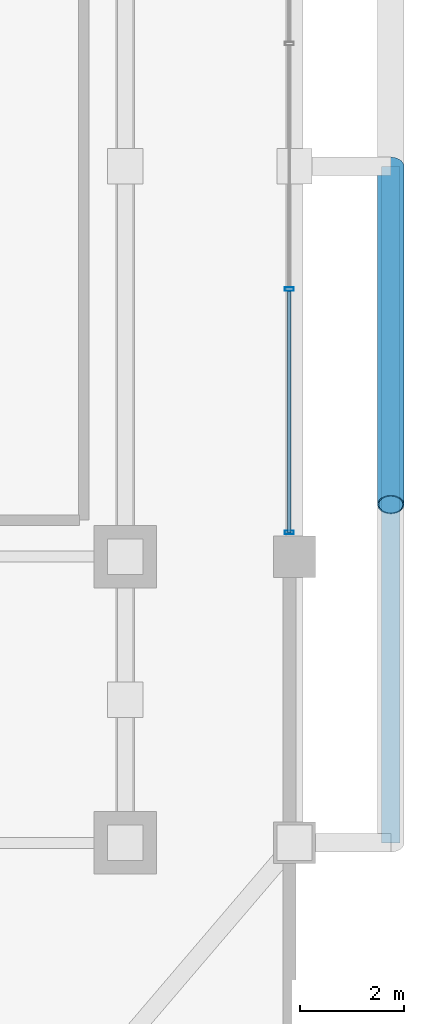
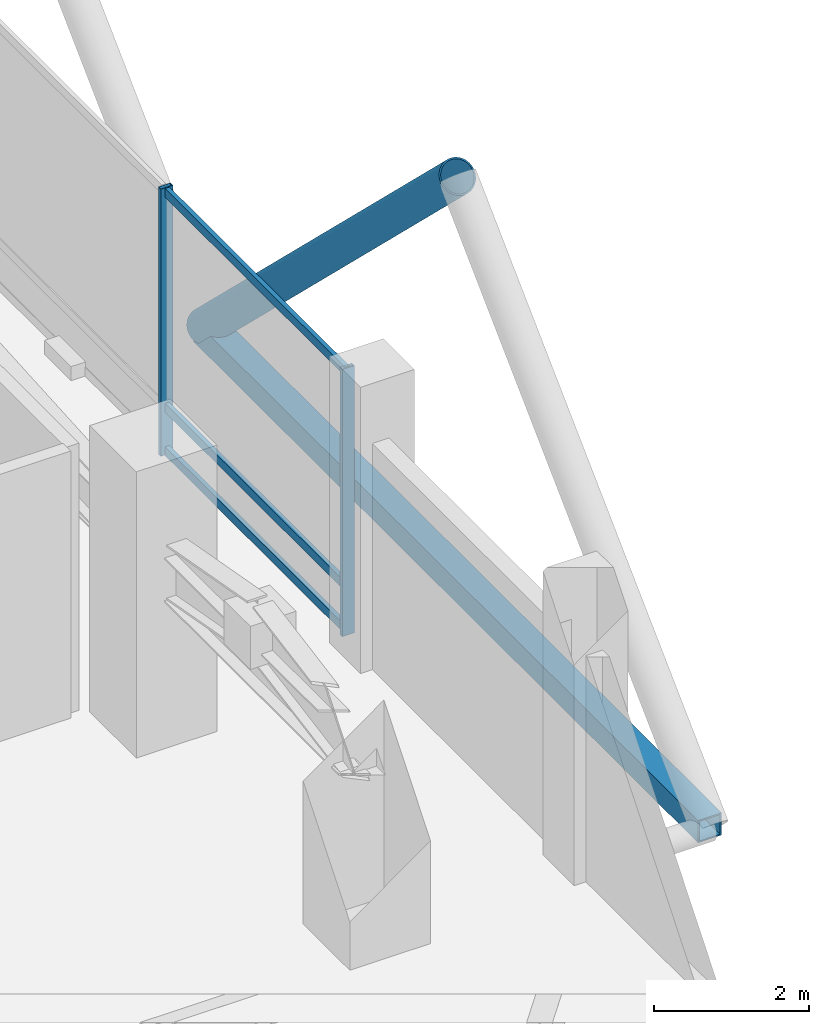
# One storey, part 9 of 22: 7 members, 1 element without a shape of its own.
"""IFC4 building model written with IfcOpenShell, lengths in metres."""

from ifc_helpers import new_model, si_unit, direction, frame, origin, origin_2d, place, context, subcontext, project, spatial, hollow_rectangle, hollow_circle, extrude, material, layer, layer_set, material_profile, profile_set, type_object, element, aggregate, save


model = new_model("IFC4")

# Units and contexts
model_context = context("Model", 3, precision=1e-05, world=origin(), true_north=direction((0.0, 1.0)))
body_context = subcontext(model_context, "Body", "Model", "MODEL_VIEW")
ifc_project = project(units=[si_unit("LENGTHUNIT", "METRE"), si_unit("AREAUNIT", "SQUARE_METRE"), si_unit("VOLUMEUNIT", "CUBIC_METRE"), si_unit("PLANEANGLEUNIT", "RADIAN"), si_unit("MASSUNIT", "GRAM", prefix="KILO")], contexts=[model_context])

# Site, building, storey
site_placement = place(None, origin())
site = spatial("IfcSite", under=ifc_project, at=site_placement, CompositionType="ELEMENT")
building_placement = place(site_placement, origin())
building = spatial("IfcBuilding", under=site, at=building_placement, Name="Barlavira Tower and Art Museum", CompositionType="ELEMENT")
storey_placement = place(building_placement, frame((0.0, 0.0, 120.60009765625)))
storey = spatial("IfcBuildingStorey", under=building, at=storey_placement, Name="L30", CompositionType="ELEMENT", Elevation=120.60009765625)

# Curtain wall, members
ifc_material_1 = material(Name="Low-iron coastal laminated glass", Category="glass")
ifc_layer = layer(ifc_material_1, 0.18994140625, Name="Low-iron coastal laminated glass")
ifc_layer_set = layer_set([ifc_layer], Name="Low-iron coastal laminated glass")
curtain_wall_type = type_object("IfcCurtainWallType", Name="Pale-Metal Unitised Curtain Wall Zone 2", PredefinedType="NOTDEFINED", material=ifc_layer_set)
curtain_wall_placement = place(storey_placement, origin())
curtain_wall = element("IfcCurtainWall", 1, at=curtain_wall_placement, inside=storey, type_object=curtain_wall_type, Name="L30 Curtain Wall CW2-L30-E-B3", PredefinedType="NOTDEFINED")
ifc_material_2 = material(Name="Pale anodised aluminium", Category="aluminium")
ifc_material_profile_1 = material_profile(ifc_material_2, hollow_rectangle(XDim=0.06494140625, YDim=0.179931640625, WallThickness=0.00390625, at=origin_2d()), Name="ALU-MULL 65x180x4")
ifc_profile_set_1 = profile_set([ifc_material_profile_1], Name="Pale anodised aluminium")
member_type_1 = type_object("IfcMemberType", Name="Curtain Wall Pale-Metal Mullion 65x180", PredefinedType="MULLION", material=ifc_profile_set_1)
member_1_placement = place(storey_placement, frame((20.14990234375, -7.034912109375, 0.0), z_axis=(0.0, 0.0, 1.0), x_axis=(0.0, 1.0, 0.0)))
member_1 = element("IfcMember", 2, at=member_1_placement, type_object=member_type_1, Name="CW2-L30-E-B3 Mullion 0", PredefinedType="MULLION", context=body_context, shape_type="SweptSolid", body=[
    extrude(hollow_rectangle(XDim=0.06494140625, YDim=0.179931640625, WallThickness=0.00390625, at=origin_2d()), origin(), (0.0, 0.0, 1.0), 4.199951171875),
])
member_2_placement = place(storey_placement, frame((20.14990234375, -2.360107421875, 0.0), z_axis=(0.0, 0.0, 1.0), x_axis=(0.0, 1.0, 0.0)))
member_2 = element("IfcMember", 3, at=member_2_placement, type_object=member_type_1, Name="CW2-L30-E-B3 Mullion 1", PredefinedType="MULLION", context=body_context, shape_type="SweptSolid", body=[
    extrude(hollow_rectangle(XDim=0.06494140625, YDim=0.179931640625, WallThickness=0.00390625, at=origin_2d()), origin(), (0.0, 0.0, 1.0), 4.199951171875),
])
ifc_material_profile_2 = material_profile(ifc_material_2, hollow_rectangle(XDim=0.06494140625, YDim=0.139892578125, WallThickness=0.00390625, at=origin_2d()), Name="ALU-TRAN 65x140x4")
ifc_profile_set_2 = profile_set([ifc_material_profile_2], Name="Pale anodised aluminium")
member_type_2 = type_object("IfcMemberType", Name="Curtain Wall Pale-Metal Transom 65x140", PredefinedType="USERDEFINED", material=ifc_profile_set_2)
member_3_placement = place(storey_placement, frame((20.14990234375, -7.034912109375, 0.06982421875), z_axis=(0.0, 1.0, 0.0), x_axis=(-1.0, 0.0, 0.0)))
member_3 = element("IfcMember", 4, at=member_3_placement, type_object=member_type_2, Name="CW2-L30-E-B3 Transom 0.1", ObjectType="TRANSOM", PredefinedType="USERDEFINED", context=body_context, shape_type="SweptSolid", body=[
    extrude(hollow_rectangle(XDim=0.06494140625, YDim=0.139892578125, WallThickness=0.00390625, at=origin_2d()), origin(), (0.0, 0.0, 1.0), 4.6298828125),
])
member_4_placement = place(storey_placement, frame((20.14990234375, -7.034912109375, 0.75), z_axis=(0.0, 1.0, 0.0), x_axis=(-1.0, 0.0, 0.0)))
member_4 = element("IfcMember", 5, at=member_4_placement, type_object=member_type_2, Name="CW2-L30-E-B3 Transom 0.2", ObjectType="TRANSOM", PredefinedType="USERDEFINED", context=body_context, shape_type="SweptSolid", body=[
    extrude(hollow_rectangle(XDim=0.06494140625, YDim=0.139892578125, WallThickness=0.00390625, at=origin_2d()), origin(), (0.0, 0.0, 1.0), 4.6298828125),
])
member_5_placement = place(storey_placement, frame((20.14990234375, -7.034912109375, 4.1298828125), z_axis=(0.0, 1.0, 0.0), x_axis=(-1.0, 0.0, 0.0)))
member_5 = element("IfcMember", 6, at=member_5_placement, type_object=member_type_2, Name="CW2-L30-E-B3 Transom 0.3", ObjectType="TRANSOM", PredefinedType="USERDEFINED", context=body_context, shape_type="SweptSolid", body=[
    extrude(hollow_rectangle(XDim=0.06494140625, YDim=0.139892578125, WallThickness=0.00390625, at=origin_2d()), origin(), (0.0, 0.0, 1.0), 4.6298828125),
])
aggregate(curtain_wall, [member_1, member_2, member_3, member_4, member_5])

# Members
ifc_material_3 = material(Name="Steel S355", Category="steel")
ifc_material_profile_3 = material_profile(ifc_material_3, hollow_circle(Radius=0.25390625, WallThickness=0.022216796875, at=origin_2d()), Name="CHS 508.0x22.2")
ifc_profile_set_3 = profile_set([ifc_material_profile_3], Name="Steel S355")
member_type_3 = type_object("IfcMemberType", Name="Pale-Metal Exoskeleton Diagrid Tube CHS 508x22 Steel S355", PredefinedType="BRACE", material=ifc_profile_set_3)
member_6_placement = place(storey_placement, frame((22.10009765625, 0.0, -0.1201171875), z_axis=(0.0, -0.718064979499, 0.695976066555), x_axis=(1.0, 0.0, 0.0)))
element("IfcMember", 7, at=member_6_placement, inside=storey, type_object=member_type_3, Name="L30 Exoskeleton Diagrid Tube E", PredefinedType="BRACE", context=body_context, shape_type="SweptSolid", body=[
    extrude(hollow_circle(Radius=0.25390625, WallThickness=0.022216796875, at=origin_2d()), origin(), (0.0, 0.0, 1.0), 9.052001953125),
])
ifc_material_profile_4 = material_profile(ifc_material_3, hollow_rectangle(XDim=0.35009765625, YDim=0.35009765625, WallThickness=0.02001953125, at=origin_2d()), Name="SHS 350x350x20.0")
ifc_profile_set_4 = profile_set([ifc_material_profile_4], Name="Steel S355")
member_type_4 = type_object("IfcMemberType", Name="Pale-Metal Exoskeleton Ring Strut SHS 350x350x20 Steel S355", PredefinedType="STRUT", material=ifc_profile_set_4)
member_7_placement = place(storey_placement, frame((22.10009765625, -13.0, -0.1201171875), z_axis=(0.0, 1.0, 0.0), x_axis=(-1.0, 0.0, 0.0)))
element("IfcMember", 8, at=member_7_placement, inside=storey, type_object=member_type_4, Name="L30 Exoskeleton Ring Strut E", PredefinedType="STRUT", context=body_context, shape_type="SweptSolid", body=[
    extrude(hollow_rectangle(XDim=0.35009765625, YDim=0.35009765625, WallThickness=0.02001953125, at=origin_2d()), origin(), (0.0, 0.0, 1.0), 13.0),
])

save(model, "model.ifc")
